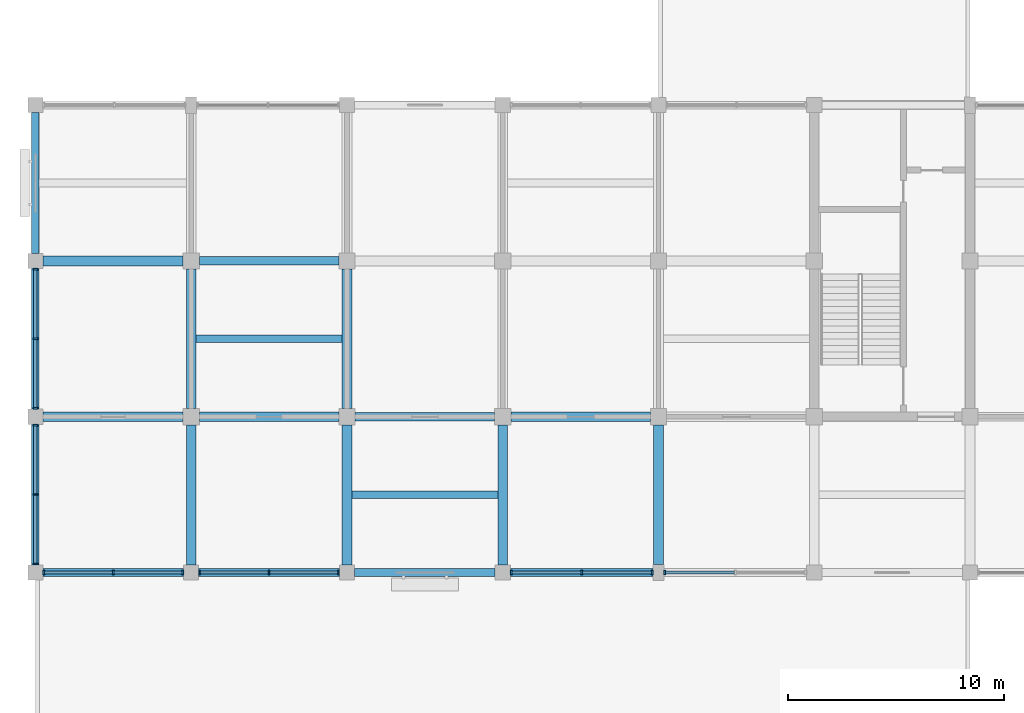
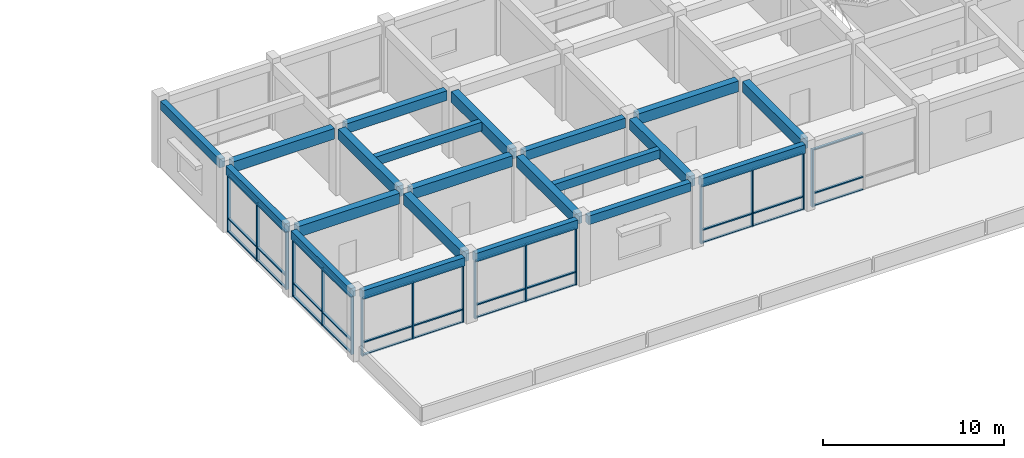
# One storey, part 2 of 30: 49 members, 21 beams, 6 elements without a shape of their own.
"""IFC4 building model written with IfcOpenShell, lengths in metres."""

from ifc_helpers import new_model, si_unit, direction, frame, origin, origin_2d, place, context, subcontext, project, spatial, rectangle, extrude, material, layer, layer_set, material_profile, profile_set, type_object, element, aggregate, save


model = new_model("IFC4")

# Units and contexts
model_context = context("Model", 3, precision=1e-05, world=origin(), true_north=direction((0.0, 1.0)))
body_context = subcontext(model_context, "Body", "Model", "MODEL_VIEW")
ifc_project = project(units=[si_unit("LENGTHUNIT", "METRE"), si_unit("AREAUNIT", "SQUARE_METRE"), si_unit("VOLUMEUNIT", "CUBIC_METRE"), si_unit("PLANEANGLEUNIT", "RADIAN"), si_unit("MASSUNIT", "GRAM", prefix="KILO")], contexts=[model_context])

# Site, building, storey
site_placement = place(None, origin())
site = spatial("IfcSite", under=ifc_project, at=site_placement, CompositionType="ELEMENT")
building_placement = place(site_placement, origin())
building = spatial("IfcBuilding", under=site, at=building_placement, Name="Cendaluz Park School", CompositionType="ELEMENT")
storey_placement = place(building_placement, frame((0.0, 0.0, 9.60009765625)))
storey = spatial("IfcBuildingStorey", under=building, at=storey_placement, Name="L02", CompositionType="ELEMENT", Elevation=9.60009765625)

# Beams
ifc_material_1 = material(Name="Concrete C40/50", Category="concrete")
ifc_material_profile_1 = material_profile(ifc_material_1, rectangle(XDim=0.449951171875, YDim=0.719970703125, at=origin_2d()), Name="RC 450x720", Category="concrete")
ifc_profile_set_1 = profile_set([ifc_material_profile_1], Name="Concrete C40/50")
beam_type_1 = type_object("IfcBeamType", Name="BM-RC02", PredefinedType="BEAM", material=ifc_profile_set_1)
for number, where, z_axis, x_axis, name in (
    (1, (0.35009765625, 14.39990234375, 4.099853515625), (1.0, 0.0, 0.0), (0.0, 1.0, 0.0), "BM-L02-BMRC02-0002"),
    (2, (0.35009765625, 21.60009765625, 4.099853515625), (1.0, 0.0, 0.0), (0.0, 1.0, 0.0), "BM-L02-BMRC02-0003"),
):
    element("IfcBeam", number, at=place(storey_placement, frame(where, z_axis=z_axis, x_axis=x_axis)), inside=storey, type_object=beam_type_1, Name=name, PredefinedType="BEAM", context=body_context, shape_type="SweptSolid", body=[
        extrude(rectangle(XDim=0.449951171875, YDim=0.719970703125, at=origin_2d()), origin(), (0.0, 0.0, 1.0), 6.474853515625),
    ])
for number, where, z_axis, x_axis, name in (
    (3, (7.574951171875, 14.39990234375, 4.099853515625), (1.0, 0.0, 0.0), (0.0, 1.0, 0.0), "BM-L02-BMRC02-0006"),
    (4, (21.97509765625, 14.39990234375, 4.099853515625), (1.0, 0.0, 0.0), (0.0, 1.0, 0.0), "BM-L02-BMRC02-0014"),
):
    element("IfcBeam", number, at=place(storey_placement, frame(where, z_axis=z_axis, x_axis=x_axis)), inside=storey, type_object=beam_type_1, Name=name, PredefinedType="BEAM", context=body_context, shape_type="SweptSolid", body=[
        extrude(rectangle(XDim=0.449951171875, YDim=0.719970703125, at=origin_2d()), origin(), (0.0, 0.0, 1.0), 6.449951171875),
    ])
beam_1_placement = place(storey_placement, frame((7.199951171875, 7.550048828125, 4.099853515625), z_axis=(0.0, 1.0, 0.0), x_axis=(-1.0, 0.0, 0.0)))
element("IfcBeam", 5, at=beam_1_placement, inside=storey, type_object=beam_type_1, Name="BM-L02-BMRC02-0130", PredefinedType="BEAM", context=body_context, shape_type="SweptSolid", body=[
    extrude(rectangle(XDim=0.449951171875, YDim=0.719970703125, at=origin_2d()), origin(), (0.0, 0.0, 1.0), 6.474853515625),
])
beam_2_placement = place(storey_placement, frame((7.199951171875, 14.77490234375, 4.099853515625), z_axis=(0.0, 1.0, 0.0), x_axis=(-1.0, 0.0, 0.0)))
element("IfcBeam", 6, at=beam_2_placement, inside=storey, type_object=beam_type_1, Name="BM-L02-BMRC02-0131", PredefinedType="BEAM", context=body_context, shape_type="SweptSolid", body=[
    extrude(rectangle(XDim=0.449951171875, YDim=0.719970703125, at=origin_2d()), origin(), (0.0, 0.0, 1.0), 6.4501953125),
])
beam_3_placement = place(storey_placement, frame((14.39990234375, 7.550048828125, 4.099853515625), z_axis=(0.0, 1.0, 0.0), x_axis=(-1.0, 0.0, 0.0)))
element("IfcBeam", 7, at=beam_3_placement, inside=storey, type_object=beam_type_1, Name="BM-L02-BMRC02-0133", PredefinedType="BEAM", context=body_context, shape_type="SweptSolid", body=[
    extrude(rectangle(XDim=0.449951171875, YDim=0.719970703125, at=origin_2d()), origin(), (0.0, 0.0, 1.0), 6.474853515625),
])
beam_4_placement = place(storey_placement, frame((14.39990234375, 14.77490234375, 4.099853515625), z_axis=(0.0, 1.0, 0.0), x_axis=(-1.0, 0.0, 0.0)))
element("IfcBeam", 8, at=beam_4_placement, inside=storey, type_object=beam_type_1, Name="BM-L02-BMRC02-0134", PredefinedType="BEAM", context=body_context, shape_type="SweptSolid", body=[
    extrude(rectangle(XDim=0.449951171875, YDim=0.719970703125, at=origin_2d()), origin(), (0.0, 0.0, 1.0), 6.4501953125),
])
beam_5_placement = place(storey_placement, frame((21.60009765625, 7.550048828125, 4.099853515625), z_axis=(0.0, 1.0, 0.0), x_axis=(-1.0, 0.0, 0.0)))
element("IfcBeam", 9, at=beam_5_placement, inside=storey, type_object=beam_type_1, Name="BM-L02-BMRC02-0136", PredefinedType="BEAM", context=body_context, shape_type="SweptSolid", body=[
    extrude(rectangle(XDim=0.449951171875, YDim=0.719970703125, at=origin_2d()), origin(), (0.0, 0.0, 1.0), 6.474853515625),
])
beam_6_placement = place(storey_placement, frame((28.800048828125, 7.574951171875, 4.099853515625), z_axis=(0.0, 1.0, 0.0), x_axis=(-1.0, 0.0, 0.0)))
element("IfcBeam", 10, at=beam_6_placement, inside=storey, type_object=beam_type_1, Name="BM-L02-BMRC02-0139", PredefinedType="BEAM", context=body_context, shape_type="SweptSolid", body=[
    extrude(rectangle(XDim=0.449951171875, YDim=0.719970703125, at=origin_2d()), origin(), (0.0, 0.0, 1.0), 6.449951171875),
])
ifc_material_profile_2 = material_profile(ifc_material_1, rectangle(XDim=0.39990234375, YDim=0.64990234375, at=origin_2d()), Name="RC 400x650", Category="concrete")
ifc_profile_set_2 = profile_set([ifc_material_profile_2], Name="Concrete C40/50")
beam_type_2 = type_object("IfcBeamType", Name="BM-RC03", PredefinedType="T_BEAM", material=ifc_profile_set_2)
beam_7_placement = place(storey_placement, frame((7.574951171875, 21.60009765625, 4.135009765625), z_axis=(1.0, 0.0, 0.0), x_axis=(0.0, 1.0, 0.0)))
element("IfcBeam", 11, at=beam_7_placement, inside=storey, type_object=beam_type_2, Name="BM-L02-BMRC03-0007", PredefinedType="T_BEAM", context=body_context, shape_type="SweptSolid", body=[
    extrude(rectangle(XDim=0.39990234375, YDim=0.64990234375, at=origin_2d()), origin(), (0.0, 0.0, 1.0), 6.449951171875),
])
beam_8_placement = place(storey_placement, frame((14.77490234375, 14.39990234375, 4.135009765625), z_axis=(1.0, 0.0, 0.0), x_axis=(0.0, 1.0, 0.0)))
element("IfcBeam", 12, at=beam_8_placement, inside=storey, type_object=beam_type_2, Name="BM-L02-BMRC03-0010", PredefinedType="T_BEAM", context=body_context, shape_type="SweptSolid", body=[
    extrude(rectangle(XDim=0.39990234375, YDim=0.64990234375, at=origin_2d()), origin(), (0.0, 0.0, 1.0), 6.4501953125),
])
ifc_material_profile_3 = material_profile(ifc_material_1, rectangle(XDim=0.35009765625, YDim=0.580078125, at=origin_2d()), Name="RC 350x580", Category="concrete")
ifc_profile_set_3 = profile_set([ifc_material_profile_3], Name="Concrete C40/50")
beam_type_3 = type_object("IfcBeamType", Name="BM-RC04", PredefinedType="LINTEL", material=ifc_profile_set_3)
for number, where, z_axis, x_axis, name in (
    (13, (0.35009765625, 7.199951171875, 4.169921875), (1.0, 0.0, 0.0), (0.0, 1.0, 0.0), "BM-L02-BMRC04-0001"),
    (14, (7.550048828125, 7.199951171875, 4.169921875), (1.0, 0.0, 0.0), (0.0, 1.0, 0.0), "BM-L02-BMRC04-0005"),
    (15, (14.75, 7.199951171875, 4.169921875), (1.0, 0.0, 0.0), (0.0, 1.0, 0.0), "BM-L02-BMRC04-0009"),
):
    element("IfcBeam", number, at=place(storey_placement, frame(where, z_axis=z_axis, x_axis=x_axis)), inside=storey, type_object=beam_type_3, Name=name, PredefinedType="LINTEL", context=body_context, shape_type="SweptSolid", body=[
        extrude(rectangle(XDim=0.35009765625, YDim=0.580078125, at=origin_2d()), origin(), (0.0, 0.0, 1.0), 6.5),
    ])
beam_9_placement = place(storey_placement, frame((21.949951171875, 7.199951171875, 4.169921875), z_axis=(1.0, 0.0, 0.0), x_axis=(0.0, 1.0, 0.0)))
element("IfcBeam", 16, at=beam_9_placement, inside=storey, type_object=beam_type_3, Name="BM-L02-BMRC04-0013", PredefinedType="LINTEL", context=body_context, shape_type="SweptSolid", body=[
    extrude(rectangle(XDim=0.35009765625, YDim=0.580078125, at=origin_2d()), origin(), (0.0, 0.0, 1.0), 6.60009765625),
])
for number, where, z_axis, x_axis, name in (
    (17, (0.0, 7.550048828125, 4.169921875), (0.0, 1.0, 0.0), (-1.0, 0.0, 0.0), "BM-L02-BMRC04-0127"),
    (18, (0.0, 14.75, 4.169921875), (0.0, 1.0, 0.0), (-1.0, 0.0, 0.0), "BM-L02-BMRC04-0128"),
    (19, (0.0, 21.949951171875, 4.169921875), (0.0, 1.0, 0.0), (-1.0, 0.0, 0.0), "BM-L02-BMRC04-0129"),
):
    element("IfcBeam", number, at=place(storey_placement, frame(where, z_axis=z_axis, x_axis=x_axis)), inside=storey, type_object=beam_type_3, Name=name, PredefinedType="LINTEL", context=body_context, shape_type="SweptSolid", body=[
        extrude(rectangle(XDim=0.35009765625, YDim=0.580078125, at=origin_2d()), origin(), (0.0, 0.0, 1.0), 6.5),
    ])

# Curtain wall, members
ifc_material_2 = material(Name="Anodised Aluminium 6063-T6", Category="aluminium")
ifc_layer_1 = layer(ifc_material_2, 0.179931640625)
ifc_layer_set_1 = layer_set([ifc_layer_1], Name="Anodised Aluminium 6063-T6")
curtain_wall_type_1 = type_object("IfcCurtainWallType", Name="CW-130x78", PredefinedType="NOTDEFINED", material=ifc_layer_set_1)
curtain_wall_1_placement = place(storey_placement, origin())
curtain_wall_1 = element("IfcCurtainWall", 20, at=curtain_wall_1_placement, inside=storey, type_object=curtain_wall_type_1, Name="CW-L02-090", PredefinedType="NOTDEFINED")
ifc_material_profile_4 = material_profile(ifc_material_2, rectangle(XDim=0.199951171875, YDim=0.080078125, at=origin_2d()), Name="CWM 200x80", Category="aluminium")
ifc_profile_set_4 = profile_set([ifc_material_profile_4], Name="Anodised Aluminium 6063-T6")
member_type_1 = type_object("IfcMemberType", Name="CWM-02", PredefinedType="MULLION", material=ifc_profile_set_4)
member_1_placement = place(storey_placement, frame((0.389892578125, 7.199951171875, 0.0), z_axis=(0.0, 0.0, 1.0), x_axis=(0.0, 1.0, 0.0)))
member_1 = element("IfcMember", 21, at=member_1_placement, type_object=member_type_1, Name="CP-L02-1158", PredefinedType="MULLION", context=body_context, shape_type="SweptSolid", body=[
    extrude(rectangle(XDim=0.199951171875, YDim=0.080078125, at=origin_2d()), origin(), (0.0, 0.0, 1.0), 3.8798828125),
])
member_2_placement = place(storey_placement, frame((3.60009765625, 7.199951171875, 0.0), z_axis=(0.0, 0.0, 1.0), x_axis=(0.0, 1.0, 0.0)))
member_2 = element("IfcMember", 22, at=member_2_placement, type_object=member_type_1, Name="CP-L02-1159", PredefinedType="MULLION", context=body_context, shape_type="SweptSolid", body=[
    extrude(rectangle(XDim=0.199951171875, YDim=0.080078125, at=origin_2d()), origin(), (0.0, 0.0, 1.0), 3.8798828125),
])
member_3_placement = place(storey_placement, frame((6.81005859375, 7.199951171875, 0.0), z_axis=(0.0, 0.0, 1.0), x_axis=(0.0, 1.0, 0.0)))
member_3 = element("IfcMember", 23, at=member_3_placement, type_object=member_type_1, Name="CP-L02-1160", PredefinedType="MULLION", context=body_context, shape_type="SweptSolid", body=[
    extrude(rectangle(XDim=0.199951171875, YDim=0.080078125, at=origin_2d()), origin(), (0.0, 0.0, 1.0), 3.8798828125),
])

curtain_wall_2_placement = place(storey_placement, origin())
curtain_wall_2 = element("IfcCurtainWall", 24, at=curtain_wall_2_placement, inside=storey, type_object=curtain_wall_type_1, Name="CW-L02-091", PredefinedType="NOTDEFINED")
member_4_placement = place(storey_placement, frame((0.0, 7.590087890625, 0.0), z_axis=(0.0, 0.0, 1.0), x_axis=(-1.0, 0.0, 0.0)))
member_4 = element("IfcMember", 25, at=member_4_placement, type_object=member_type_1, Name="CP-L02-1171", PredefinedType="MULLION", context=body_context, shape_type="SweptSolid", body=[
    extrude(rectangle(XDim=0.199951171875, YDim=0.080078125, at=origin_2d()), origin(), (0.0, 0.0, 1.0), 3.8798828125),
])
member_5_placement = place(storey_placement, frame((0.0, 10.800048828125, 0.0), z_axis=(0.0, 0.0, 1.0), x_axis=(-1.0, 0.0, 0.0)))
member_5 = element("IfcMember", 26, at=member_5_placement, type_object=member_type_1, Name="CP-L02-1172", PredefinedType="MULLION", context=body_context, shape_type="SweptSolid", body=[
    extrude(rectangle(XDim=0.199951171875, YDim=0.080078125, at=origin_2d()), origin(), (0.0, 0.0, 1.0), 3.8798828125),
])
member_6_placement = place(storey_placement, frame((0.0, 14.010009765625, 0.0), z_axis=(0.0, 0.0, 1.0), x_axis=(-1.0, 0.0, 0.0)))
member_6 = element("IfcMember", 27, at=member_6_placement, type_object=member_type_1, Name="CP-L02-1173", PredefinedType="MULLION", context=body_context, shape_type="SweptSolid", body=[
    extrude(rectangle(XDim=0.199951171875, YDim=0.080078125, at=origin_2d()), origin(), (0.0, 0.0, 1.0), 3.8798828125),
])

curtain_wall_3_placement = place(storey_placement, origin())
curtain_wall_3 = element("IfcCurtainWall", 28, at=curtain_wall_3_placement, inside=storey, type_object=curtain_wall_type_1, Name="CW-L02-092", PredefinedType="NOTDEFINED")
member_7_placement = place(storey_placement, frame((0.0, 14.7900390625, 0.0), z_axis=(0.0, 0.0, 1.0), x_axis=(-1.0, 0.0, 0.0)))
member_7 = element("IfcMember", 29, at=member_7_placement, type_object=member_type_1, Name="CP-L02-1184", PredefinedType="MULLION", context=body_context, shape_type="SweptSolid", body=[
    extrude(rectangle(XDim=0.199951171875, YDim=0.080078125, at=origin_2d()), origin(), (0.0, 0.0, 1.0), 3.8798828125),
])
member_8_placement = place(storey_placement, frame((0.0, 18.0, 0.0), z_axis=(0.0, 0.0, 1.0), x_axis=(-1.0, 0.0, 0.0)))
member_8 = element("IfcMember", 30, at=member_8_placement, type_object=member_type_1, Name="CP-L02-1185", PredefinedType="MULLION", context=body_context, shape_type="SweptSolid", body=[
    extrude(rectangle(XDim=0.199951171875, YDim=0.080078125, at=origin_2d()), origin(), (0.0, 0.0, 1.0), 3.8798828125),
])
member_9_placement = place(storey_placement, frame((0.0, 21.2099609375, 0.0), z_axis=(0.0, 0.0, 1.0), x_axis=(-1.0, 0.0, 0.0)))
member_9 = element("IfcMember", 31, at=member_9_placement, type_object=member_type_1, Name="CP-L02-1186", PredefinedType="MULLION", context=body_context, shape_type="SweptSolid", body=[
    extrude(rectangle(XDim=0.199951171875, YDim=0.080078125, at=origin_2d()), origin(), (0.0, 0.0, 1.0), 3.8798828125),
])

curtain_wall_4_placement = place(storey_placement, origin())
curtain_wall_4 = element("IfcCurtainWall", 32, at=curtain_wall_4_placement, inside=storey, type_object=curtain_wall_type_1, Name="CW-L02-094", PredefinedType="NOTDEFINED")
member_10_placement = place(storey_placement, frame((7.590087890625, 7.199951171875, 0.0), z_axis=(0.0, 0.0, 1.0), x_axis=(0.0, 1.0, 0.0)))
member_10 = element("IfcMember", 33, at=member_10_placement, type_object=member_type_1, Name="CP-L02-1210", PredefinedType="MULLION", context=body_context, shape_type="SweptSolid", body=[
    extrude(rectangle(XDim=0.199951171875, YDim=0.080078125, at=origin_2d()), origin(), (0.0, 0.0, 1.0), 3.8798828125),
])
member_11_placement = place(storey_placement, frame((10.800048828125, 7.199951171875, 0.0), z_axis=(0.0, 0.0, 1.0), x_axis=(0.0, 1.0, 0.0)))
member_11 = element("IfcMember", 34, at=member_11_placement, type_object=member_type_1, Name="CP-L02-1211", PredefinedType="MULLION", context=body_context, shape_type="SweptSolid", body=[
    extrude(rectangle(XDim=0.199951171875, YDim=0.080078125, at=origin_2d()), origin(), (0.0, 0.0, 1.0), 3.8798828125),
])
member_12_placement = place(storey_placement, frame((14.010009765625, 7.199951171875, 0.0), z_axis=(0.0, 0.0, 1.0), x_axis=(0.0, 1.0, 0.0)))
member_12 = element("IfcMember", 35, at=member_12_placement, type_object=member_type_1, Name="CP-L02-1212", PredefinedType="MULLION", context=body_context, shape_type="SweptSolid", body=[
    extrude(rectangle(XDim=0.199951171875, YDim=0.080078125, at=origin_2d()), origin(), (0.0, 0.0, 1.0), 3.8798828125),
])

ifc_layer_2 = layer(ifc_material_2, 0.179931640625)
ifc_layer_set_2 = layer_set([ifc_layer_2], Name="Anodised Aluminium 6063-T6")
curtain_wall_type_2 = type_object("IfcCurtainWallType", Name="CW-132x78", PredefinedType="NOTDEFINED", material=ifc_layer_set_2)
curtain_wall_5_placement = place(storey_placement, origin())
curtain_wall_5 = element("IfcCurtainWall", 36, at=curtain_wall_5_placement, inside=storey, type_object=curtain_wall_type_2, Name="CW-L02-096", PredefinedType="NOTDEFINED")
member_13_placement = place(storey_placement, frame((21.989990234375, 7.199951171875, 0.0), z_axis=(0.0, 0.0, 1.0), x_axis=(0.0, 1.0, 0.0)))
member_13 = element("IfcMember", 37, at=member_13_placement, type_object=member_type_1, Name="CP-L02-1236", PredefinedType="MULLION", context=body_context, shape_type="SweptSolid", body=[
    extrude(rectangle(XDim=0.199951171875, YDim=0.080078125, at=origin_2d()), origin(), (0.0, 0.0, 1.0), 3.8798828125),
])
member_14_placement = place(storey_placement, frame((25.25, 7.199951171875, 0.0), z_axis=(0.0, 0.0, 1.0), x_axis=(0.0, 1.0, 0.0)))
member_14 = element("IfcMember", 38, at=member_14_placement, type_object=member_type_1, Name="CP-L02-1237", PredefinedType="MULLION", context=body_context, shape_type="SweptSolid", body=[
    extrude(rectangle(XDim=0.199951171875, YDim=0.080078125, at=origin_2d()), origin(), (0.0, 0.0, 1.0), 3.8798828125),
])
member_15_placement = place(storey_placement, frame((28.510009765625, 7.199951171875, 0.0), z_axis=(0.0, 0.0, 1.0), x_axis=(0.0, 1.0, 0.0)))
member_15 = element("IfcMember", 39, at=member_15_placement, type_object=member_type_1, Name="CP-L02-1238", PredefinedType="MULLION", context=body_context, shape_type="SweptSolid", body=[
    extrude(rectangle(XDim=0.199951171875, YDim=0.080078125, at=origin_2d()), origin(), (0.0, 0.0, 1.0), 3.8798828125),
])

# Curtain wall, member
curtain_wall_6_placement = place(storey_placement, origin())
curtain_wall_6 = element("IfcCurtainWall", 40, at=curtain_wall_6_placement, inside=storey, type_object=curtain_wall_type_2, Name="CW-L02-098", PredefinedType="NOTDEFINED")
member_16_placement = place(storey_placement, frame((29.090087890625, 7.199951171875, 0.0), z_axis=(0.0, 0.0, 1.0), x_axis=(0.0, 1.0, 0.0)))
member_16 = element("IfcMember", 41, at=member_16_placement, type_object=member_type_1, Name="CP-L02-1262", PredefinedType="MULLION", context=body_context, shape_type="SweptSolid", body=[
    extrude(rectangle(XDim=0.199951171875, YDim=0.080078125, at=origin_2d()), origin(), (0.0, 0.0, 1.0), 3.8798828125),
])

# Member
ifc_material_profile_5 = material_profile(ifc_material_2, rectangle(XDim=0.14990234375, YDim=0.080078125, at=origin_2d()), Name="CWT 150x80", Category="aluminium")
ifc_profile_set_5 = profile_set([ifc_material_profile_5], Name="Anodised Aluminium 6063-T6")
member_type_2 = type_object("IfcMemberType", Name="CWT-02", PredefinedType="USERDEFINED", material=ifc_profile_set_5)
member_17_placement = place(storey_placement, frame((0.429931640625, 7.199951171875, 0.039794921875), z_axis=(1.0, 0.0, 0.0), x_axis=(0.0, 1.0, 0.0)))
member_17 = element("IfcMember", 42, at=member_17_placement, type_object=member_type_2, Name="CP-L02-1161", ObjectType="TRANSOM", PredefinedType="USERDEFINED", context=body_context, shape_type="SweptSolid", body=[
    extrude(rectangle(XDim=0.14990234375, YDim=0.080078125, at=origin_2d()), origin(), (0.0, 0.0, 1.0), 3.130126953125),
])

member_18_placement = place(storey_placement, frame((0.429931640625, 7.199951171875, 0.89990234375), z_axis=(1.0, 0.0, 0.0), x_axis=(0.0, 1.0, 0.0)))
member_18 = element("IfcMember", 43, at=member_18_placement, type_object=member_type_2, Name="CP-L02-1162", ObjectType="TRANSOM", PredefinedType="USERDEFINED", context=body_context, shape_type="SweptSolid", body=[
    extrude(rectangle(XDim=0.14990234375, YDim=0.080078125, at=origin_2d()), origin(), (0.0, 0.0, 1.0), 3.130126953125),
])

member_19_placement = place(storey_placement, frame((0.429931640625, 7.199951171875, 3.83984375), z_axis=(1.0, 0.0, 0.0), x_axis=(0.0, 1.0, 0.0)))
member_19 = element("IfcMember", 44, at=member_19_placement, type_object=member_type_2, Name="CP-L02-1163", ObjectType="TRANSOM", PredefinedType="USERDEFINED", context=body_context, shape_type="SweptSolid", body=[
    extrude(rectangle(XDim=0.14990234375, YDim=0.080078125, at=origin_2d()), origin(), (0.0, 0.0, 1.0), 3.130126953125),
])

member_20_placement = place(storey_placement, frame((3.639892578125, 7.199951171875, 0.039794921875), z_axis=(1.0, 0.0, 0.0), x_axis=(0.0, 1.0, 0.0)))
member_20 = element("IfcMember", 45, at=member_20_placement, type_object=member_type_2, Name="CP-L02-1166", ObjectType="TRANSOM", PredefinedType="USERDEFINED", context=body_context, shape_type="SweptSolid", body=[
    extrude(rectangle(XDim=0.14990234375, YDim=0.080078125, at=origin_2d()), origin(), (0.0, 0.0, 1.0), 3.130126953125),
])

member_21_placement = place(storey_placement, frame((3.639892578125, 7.199951171875, 0.89990234375), z_axis=(1.0, 0.0, 0.0), x_axis=(0.0, 1.0, 0.0)))
member_21 = element("IfcMember", 46, at=member_21_placement, type_object=member_type_2, Name="CP-L02-1167", ObjectType="TRANSOM", PredefinedType="USERDEFINED", context=body_context, shape_type="SweptSolid", body=[
    extrude(rectangle(XDim=0.14990234375, YDim=0.080078125, at=origin_2d()), origin(), (0.0, 0.0, 1.0), 3.130126953125),
])

member_22_placement = place(storey_placement, frame((3.639892578125, 7.199951171875, 3.83984375), z_axis=(1.0, 0.0, 0.0), x_axis=(0.0, 1.0, 0.0)))
member_22 = element("IfcMember", 47, at=member_22_placement, type_object=member_type_2, Name="CP-L02-1168", ObjectType="TRANSOM", PredefinedType="USERDEFINED", context=body_context, shape_type="SweptSolid", body=[
    extrude(rectangle(XDim=0.14990234375, YDim=0.080078125, at=origin_2d()), origin(), (0.0, 0.0, 1.0), 3.130126953125),
])

aggregate(curtain_wall_1, [member_1, member_2, member_3, member_17, member_18, member_19, member_20, member_21, member_22])

member_23_placement = place(storey_placement, frame((0.0, 7.6298828125, 0.039794921875), z_axis=(0.0, 1.0, 0.0), x_axis=(-1.0, 0.0, 0.0)))
member_23 = element("IfcMember", 48, at=member_23_placement, type_object=member_type_2, Name="CP-L02-1174", ObjectType="TRANSOM", PredefinedType="USERDEFINED", context=body_context, shape_type="SweptSolid", body=[
    extrude(rectangle(XDim=0.14990234375, YDim=0.080078125, at=origin_2d()), origin(), (0.0, 0.0, 1.0), 3.130126953125),
])

member_24_placement = place(storey_placement, frame((0.0, 7.6298828125, 0.89990234375), z_axis=(0.0, 1.0, 0.0), x_axis=(-1.0, 0.0, 0.0)))
member_24 = element("IfcMember", 49, at=member_24_placement, type_object=member_type_2, Name="CP-L02-1175", ObjectType="TRANSOM", PredefinedType="USERDEFINED", context=body_context, shape_type="SweptSolid", body=[
    extrude(rectangle(XDim=0.14990234375, YDim=0.080078125, at=origin_2d()), origin(), (0.0, 0.0, 1.0), 3.130126953125),
])

member_25_placement = place(storey_placement, frame((0.0, 7.6298828125, 3.83984375), z_axis=(0.0, 1.0, 0.0), x_axis=(-1.0, 0.0, 0.0)))
member_25 = element("IfcMember", 50, at=member_25_placement, type_object=member_type_2, Name="CP-L02-1176", ObjectType="TRANSOM", PredefinedType="USERDEFINED", context=body_context, shape_type="SweptSolid", body=[
    extrude(rectangle(XDim=0.14990234375, YDim=0.080078125, at=origin_2d()), origin(), (0.0, 0.0, 1.0), 3.130126953125),
])

member_26_placement = place(storey_placement, frame((0.0, 10.840087890625, 0.039794921875), z_axis=(0.0, 1.0, 0.0), x_axis=(-1.0, 0.0, 0.0)))
member_26 = element("IfcMember", 51, at=member_26_placement, type_object=member_type_2, Name="CP-L02-1179", ObjectType="TRANSOM", PredefinedType="USERDEFINED", context=body_context, shape_type="SweptSolid", body=[
    extrude(rectangle(XDim=0.14990234375, YDim=0.080078125, at=origin_2d()), origin(), (0.0, 0.0, 1.0), 3.1298828125),
])

member_27_placement = place(storey_placement, frame((0.0, 10.840087890625, 0.89990234375), z_axis=(0.0, 1.0, 0.0), x_axis=(-1.0, 0.0, 0.0)))
member_27 = element("IfcMember", 52, at=member_27_placement, type_object=member_type_2, Name="CP-L02-1180", ObjectType="TRANSOM", PredefinedType="USERDEFINED", context=body_context, shape_type="SweptSolid", body=[
    extrude(rectangle(XDim=0.14990234375, YDim=0.080078125, at=origin_2d()), origin(), (0.0, 0.0, 1.0), 3.1298828125),
])

member_28_placement = place(storey_placement, frame((0.0, 10.840087890625, 3.83984375), z_axis=(0.0, 1.0, 0.0), x_axis=(-1.0, 0.0, 0.0)))
member_28 = element("IfcMember", 53, at=member_28_placement, type_object=member_type_2, Name="CP-L02-1181", ObjectType="TRANSOM", PredefinedType="USERDEFINED", context=body_context, shape_type="SweptSolid", body=[
    extrude(rectangle(XDim=0.14990234375, YDim=0.080078125, at=origin_2d()), origin(), (0.0, 0.0, 1.0), 3.1298828125),
])

aggregate(curtain_wall_2, [member_4, member_5, member_6, member_23, member_24, member_25, member_26, member_27, member_28])

member_29_placement = place(storey_placement, frame((0.0, 14.830078125, 0.039794921875), z_axis=(0.0, 1.0, 0.0), x_axis=(-1.0, 0.0, 0.0)))
member_29 = element("IfcMember", 54, at=member_29_placement, type_object=member_type_2, Name="CP-L02-1187", ObjectType="TRANSOM", PredefinedType="USERDEFINED", context=body_context, shape_type="SweptSolid", body=[
    extrude(rectangle(XDim=0.14990234375, YDim=0.080078125, at=origin_2d()), origin(), (0.0, 0.0, 1.0), 3.1298828125),
])

member_30_placement = place(storey_placement, frame((0.0, 14.830078125, 0.89990234375), z_axis=(0.0, 1.0, 0.0), x_axis=(-1.0, 0.0, 0.0)))
member_30 = element("IfcMember", 55, at=member_30_placement, type_object=member_type_2, Name="CP-L02-1188", ObjectType="TRANSOM", PredefinedType="USERDEFINED", context=body_context, shape_type="SweptSolid", body=[
    extrude(rectangle(XDim=0.14990234375, YDim=0.080078125, at=origin_2d()), origin(), (0.0, 0.0, 1.0), 3.1298828125),
])

member_31_placement = place(storey_placement, frame((0.0, 14.830078125, 3.83984375), z_axis=(0.0, 1.0, 0.0), x_axis=(-1.0, 0.0, 0.0)))
member_31 = element("IfcMember", 56, at=member_31_placement, type_object=member_type_2, Name="CP-L02-1189", ObjectType="TRANSOM", PredefinedType="USERDEFINED", context=body_context, shape_type="SweptSolid", body=[
    extrude(rectangle(XDim=0.14990234375, YDim=0.080078125, at=origin_2d()), origin(), (0.0, 0.0, 1.0), 3.1298828125),
])

member_32_placement = place(storey_placement, frame((0.0, 18.0400390625, 0.039794921875), z_axis=(0.0, 1.0, 0.0), x_axis=(-1.0, 0.0, 0.0)))
member_32 = element("IfcMember", 57, at=member_32_placement, type_object=member_type_2, Name="CP-L02-1192", ObjectType="TRANSOM", PredefinedType="USERDEFINED", context=body_context, shape_type="SweptSolid", body=[
    extrude(rectangle(XDim=0.14990234375, YDim=0.080078125, at=origin_2d()), origin(), (0.0, 0.0, 1.0), 3.1298828125),
])

member_33_placement = place(storey_placement, frame((0.0, 18.0400390625, 0.89990234375), z_axis=(0.0, 1.0, 0.0), x_axis=(-1.0, 0.0, 0.0)))
member_33 = element("IfcMember", 58, at=member_33_placement, type_object=member_type_2, Name="CP-L02-1193", ObjectType="TRANSOM", PredefinedType="USERDEFINED", context=body_context, shape_type="SweptSolid", body=[
    extrude(rectangle(XDim=0.14990234375, YDim=0.080078125, at=origin_2d()), origin(), (0.0, 0.0, 1.0), 3.1298828125),
])

member_34_placement = place(storey_placement, frame((0.0, 18.0400390625, 3.83984375), z_axis=(0.0, 1.0, 0.0), x_axis=(-1.0, 0.0, 0.0)))
member_34 = element("IfcMember", 59, at=member_34_placement, type_object=member_type_2, Name="CP-L02-1194", ObjectType="TRANSOM", PredefinedType="USERDEFINED", context=body_context, shape_type="SweptSolid", body=[
    extrude(rectangle(XDim=0.14990234375, YDim=0.080078125, at=origin_2d()), origin(), (0.0, 0.0, 1.0), 3.1298828125),
])

aggregate(curtain_wall_3, [member_7, member_8, member_9, member_29, member_30, member_31, member_32, member_33, member_34])

member_35_placement = place(storey_placement, frame((7.6298828125, 7.199951171875, 0.039794921875), z_axis=(1.0, 0.0, 0.0), x_axis=(0.0, 1.0, 0.0)))
member_35 = element("IfcMember", 60, at=member_35_placement, type_object=member_type_2, Name="CP-L02-1213", ObjectType="TRANSOM", PredefinedType="USERDEFINED", context=body_context, shape_type="SweptSolid", body=[
    extrude(rectangle(XDim=0.14990234375, YDim=0.080078125, at=origin_2d()), origin(), (0.0, 0.0, 1.0), 3.130126953125),
])

member_36_placement = place(storey_placement, frame((7.6298828125, 7.199951171875, 0.89990234375), z_axis=(1.0, 0.0, 0.0), x_axis=(0.0, 1.0, 0.0)))
member_36 = element("IfcMember", 61, at=member_36_placement, type_object=member_type_2, Name="CP-L02-1214", ObjectType="TRANSOM", PredefinedType="USERDEFINED", context=body_context, shape_type="SweptSolid", body=[
    extrude(rectangle(XDim=0.14990234375, YDim=0.080078125, at=origin_2d()), origin(), (0.0, 0.0, 1.0), 3.130126953125),
])

member_37_placement = place(storey_placement, frame((7.6298828125, 7.199951171875, 3.83984375), z_axis=(1.0, 0.0, 0.0), x_axis=(0.0, 1.0, 0.0)))
member_37 = element("IfcMember", 62, at=member_37_placement, type_object=member_type_2, Name="CP-L02-1215", ObjectType="TRANSOM", PredefinedType="USERDEFINED", context=body_context, shape_type="SweptSolid", body=[
    extrude(rectangle(XDim=0.14990234375, YDim=0.080078125, at=origin_2d()), origin(), (0.0, 0.0, 1.0), 3.130126953125),
])

member_38_placement = place(storey_placement, frame((10.840087890625, 7.199951171875, 0.039794921875), z_axis=(1.0, 0.0, 0.0), x_axis=(0.0, 1.0, 0.0)))
member_38 = element("IfcMember", 63, at=member_38_placement, type_object=member_type_2, Name="CP-L02-1218", ObjectType="TRANSOM", PredefinedType="USERDEFINED", context=body_context, shape_type="SweptSolid", body=[
    extrude(rectangle(XDim=0.14990234375, YDim=0.080078125, at=origin_2d()), origin(), (0.0, 0.0, 1.0), 3.1298828125),
])

member_39_placement = place(storey_placement, frame((10.840087890625, 7.199951171875, 0.89990234375), z_axis=(1.0, 0.0, 0.0), x_axis=(0.0, 1.0, 0.0)))
member_39 = element("IfcMember", 64, at=member_39_placement, type_object=member_type_2, Name="CP-L02-1219", ObjectType="TRANSOM", PredefinedType="USERDEFINED", context=body_context, shape_type="SweptSolid", body=[
    extrude(rectangle(XDim=0.14990234375, YDim=0.080078125, at=origin_2d()), origin(), (0.0, 0.0, 1.0), 3.1298828125),
])

member_40_placement = place(storey_placement, frame((10.840087890625, 7.199951171875, 3.83984375), z_axis=(1.0, 0.0, 0.0), x_axis=(0.0, 1.0, 0.0)))
member_40 = element("IfcMember", 65, at=member_40_placement, type_object=member_type_2, Name="CP-L02-1220", ObjectType="TRANSOM", PredefinedType="USERDEFINED", context=body_context, shape_type="SweptSolid", body=[
    extrude(rectangle(XDim=0.14990234375, YDim=0.080078125, at=origin_2d()), origin(), (0.0, 0.0, 1.0), 3.1298828125),
])

aggregate(curtain_wall_4, [member_10, member_11, member_12, member_35, member_36, member_37, member_38, member_39, member_40])

member_41_placement = place(storey_placement, frame((22.030029296875, 7.199951171875, 0.039794921875), z_axis=(1.0, 0.0, 0.0), x_axis=(0.0, 1.0, 0.0)))
member_41 = element("IfcMember", 66, at=member_41_placement, type_object=member_type_2, Name="CP-L02-1239", ObjectType="TRANSOM", PredefinedType="USERDEFINED", context=body_context, shape_type="SweptSolid", body=[
    extrude(rectangle(XDim=0.14990234375, YDim=0.080078125, at=origin_2d()), origin(), (0.0, 0.0, 1.0), 3.179931640625),
])

member_42_placement = place(storey_placement, frame((22.030029296875, 7.199951171875, 0.89990234375), z_axis=(1.0, 0.0, 0.0), x_axis=(0.0, 1.0, 0.0)))
member_42 = element("IfcMember", 67, at=member_42_placement, type_object=member_type_2, Name="CP-L02-1240", ObjectType="TRANSOM", PredefinedType="USERDEFINED", context=body_context, shape_type="SweptSolid", body=[
    extrude(rectangle(XDim=0.14990234375, YDim=0.080078125, at=origin_2d()), origin(), (0.0, 0.0, 1.0), 3.179931640625),
])

member_43_placement = place(storey_placement, frame((22.030029296875, 7.199951171875, 3.83984375), z_axis=(1.0, 0.0, 0.0), x_axis=(0.0, 1.0, 0.0)))
member_43 = element("IfcMember", 68, at=member_43_placement, type_object=member_type_2, Name="CP-L02-1241", ObjectType="TRANSOM", PredefinedType="USERDEFINED", context=body_context, shape_type="SweptSolid", body=[
    extrude(rectangle(XDim=0.14990234375, YDim=0.080078125, at=origin_2d()), origin(), (0.0, 0.0, 1.0), 3.179931640625),
])

member_44_placement = place(storey_placement, frame((25.2900390625, 7.199951171875, 0.039794921875), z_axis=(1.0, 0.0, 0.0), x_axis=(0.0, 1.0, 0.0)))
member_44 = element("IfcMember", 69, at=member_44_placement, type_object=member_type_2, Name="CP-L02-1244", ObjectType="TRANSOM", PredefinedType="USERDEFINED", context=body_context, shape_type="SweptSolid", body=[
    extrude(rectangle(XDim=0.14990234375, YDim=0.080078125, at=origin_2d()), origin(), (0.0, 0.0, 1.0), 3.179931640625),
])

member_45_placement = place(storey_placement, frame((25.2900390625, 7.199951171875, 0.89990234375), z_axis=(1.0, 0.0, 0.0), x_axis=(0.0, 1.0, 0.0)))
member_45 = element("IfcMember", 70, at=member_45_placement, type_object=member_type_2, Name="CP-L02-1245", ObjectType="TRANSOM", PredefinedType="USERDEFINED", context=body_context, shape_type="SweptSolid", body=[
    extrude(rectangle(XDim=0.14990234375, YDim=0.080078125, at=origin_2d()), origin(), (0.0, 0.0, 1.0), 3.179931640625),
])

member_46_placement = place(storey_placement, frame((25.2900390625, 7.199951171875, 3.83984375), z_axis=(1.0, 0.0, 0.0), x_axis=(0.0, 1.0, 0.0)))
member_46 = element("IfcMember", 71, at=member_46_placement, type_object=member_type_2, Name="CP-L02-1246", ObjectType="TRANSOM", PredefinedType="USERDEFINED", context=body_context, shape_type="SweptSolid", body=[
    extrude(rectangle(XDim=0.14990234375, YDim=0.080078125, at=origin_2d()), origin(), (0.0, 0.0, 1.0), 3.179931640625),
])

aggregate(curtain_wall_5, [member_13, member_14, member_15, member_41, member_42, member_43, member_44, member_45, member_46])

member_47_placement = place(storey_placement, frame((29.1298828125, 7.199951171875, 0.039794921875), z_axis=(1.0, 0.0, 0.0), x_axis=(0.0, 1.0, 0.0)))
member_47 = element("IfcMember", 72, at=member_47_placement, type_object=member_type_2, Name="CP-L02-1265", ObjectType="TRANSOM", PredefinedType="USERDEFINED", context=body_context, shape_type="SweptSolid", body=[
    extrude(rectangle(XDim=0.14990234375, YDim=0.080078125, at=origin_2d()), origin(), (0.0, 0.0, 1.0), 3.18017578125),
])

member_48_placement = place(storey_placement, frame((29.1298828125, 7.199951171875, 0.89990234375), z_axis=(1.0, 0.0, 0.0), x_axis=(0.0, 1.0, 0.0)))
member_48 = element("IfcMember", 73, at=member_48_placement, type_object=member_type_2, Name="CP-L02-1266", ObjectType="TRANSOM", PredefinedType="USERDEFINED", context=body_context, shape_type="SweptSolid", body=[
    extrude(rectangle(XDim=0.14990234375, YDim=0.080078125, at=origin_2d()), origin(), (0.0, 0.0, 1.0), 3.18017578125),
])

member_49_placement = place(storey_placement, frame((29.1298828125, 7.199951171875, 3.83984375), z_axis=(1.0, 0.0, 0.0), x_axis=(0.0, 1.0, 0.0)))
member_49 = element("IfcMember", 74, at=member_49_placement, type_object=member_type_2, Name="CP-L02-1267", ObjectType="TRANSOM", PredefinedType="USERDEFINED", context=body_context, shape_type="SweptSolid", body=[
    extrude(rectangle(XDim=0.14990234375, YDim=0.080078125, at=origin_2d()), origin(), (0.0, 0.0, 1.0), 3.18017578125),
])

aggregate(curtain_wall_6, [member_16, member_47, member_48, member_49])

# Beams
ifc_material_profile_6 = material_profile(ifc_material_1, rectangle(XDim=0.35009765625, YDim=0.580078125, at=origin_2d()), Name="RC 350x580", Category="concrete")
ifc_profile_set_6 = profile_set([ifc_material_profile_6], Name="Concrete C40/50")
beam_type_4 = type_object("IfcBeamType", Name="JT-RC01", PredefinedType="JOIST", material=ifc_profile_set_6)
for number, where, z_axis, x_axis, name in (
    (75, (7.425048828125, 18.0, 4.169921875), (1.0, 0.0, 0.0), (0.0, 1.0, 0.0), "BM-L02-JTRC01-0245"),
    (76, (14.625, 10.800048828125, 4.169921875), (1.0, 0.0, 0.0), (0.0, 1.0, 0.0), "BM-L02-JTRC01-0246"),
):
    element("IfcBeam", number, at=place(storey_placement, frame(where, z_axis=z_axis, x_axis=x_axis)), inside=storey, type_object=beam_type_4, Name=name, PredefinedType="JOIST", context=body_context, shape_type="SweptSolid", body=[
        extrude(rectangle(XDim=0.35009765625, YDim=0.580078125, at=origin_2d()), origin(), (0.0, 0.0, 1.0), 6.75),
    ])

save(model, "model.ifc")
